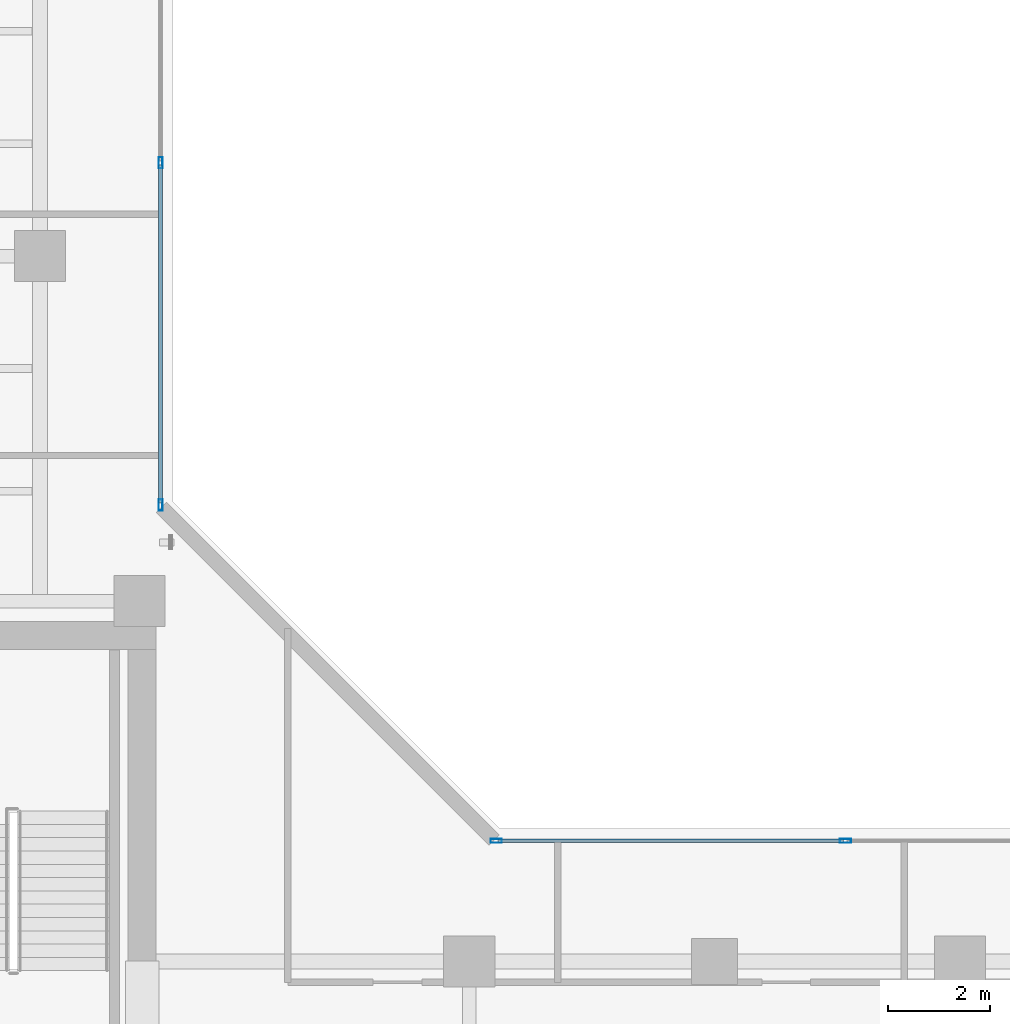
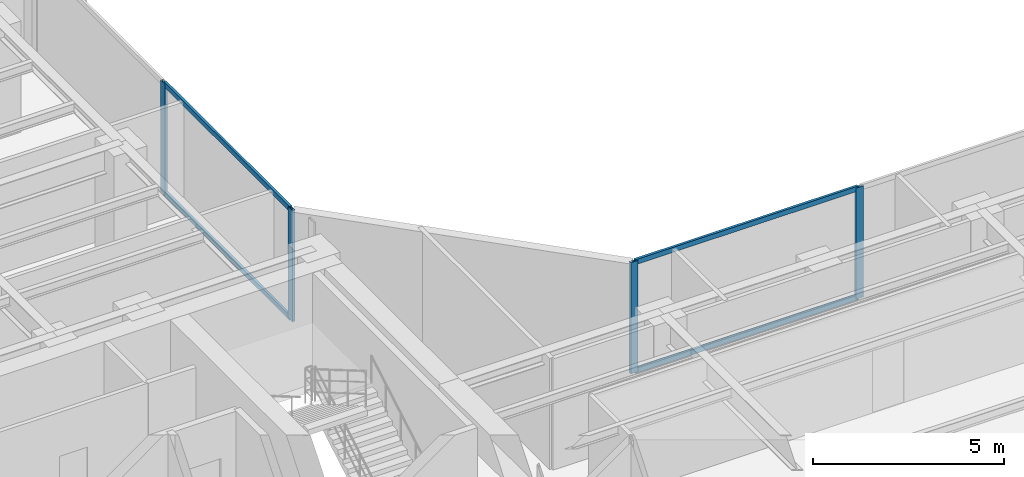
# One storey, part 10 of 23: 8 members, 2 elements without a shape of their own.
"""IFC4 building model written with IfcOpenShell, lengths in metres."""

import ifcopenshell
import ifcopenshell.guid

model = None  # the IFC model being written
_history = None  # IfcOwnerHistory: only IFC2X3 demands one
_inside = {}  # id of a spatial element -> (the spatial element, [elements in it])
_under = {}  # id of a project, library or spatial element -> (it, [spatial elements below it])
_declared = {}  # id of a project -> (the project, [libraries it declares])
_typed = {}  # id of a type object -> (the type object, [elements of that type])
_made_of = {}  # id of a material, layer set ... -> (it, [elements and type objects made of it])


def new_model(schema):
    """Start an empty IFC model of exactly this schema.

    Asked for "IFC4X3", IfcOpenShell would pick the latest addendum, in which some entities
    have other attributes; the version numbers below select the first issue.
    IFC2X3 requires an IfcOwnerHistory on every rooted entity: one is made here for all.
    """
    global model, _history
    if schema == "IFC4X3":
        model = ifcopenshell.file(schema_version=(4, 3, 0, 0))
    else:
        model = ifcopenshell.file(schema=schema)
    _inside.clear()
    _under.clear()
    _declared.clear()
    _typed.clear()
    _made_of.clear()
    _history = None
    if model.schema == "IFC2X3":
        org = make("IfcOrganization", Name="unknown")
        user = make(
            "IfcPersonAndOrganization",
            ThePerson=make("IfcPerson", FamilyName="unknown"),
            TheOrganization=org,
        )
        app = make(
            "IfcApplication",
            ApplicationDeveloper=org,
            Version="unknown",
            ApplicationFullName="unknown",
            ApplicationIdentifier="unknown",
        )
        _history = make(
            "IfcOwnerHistory",
            OwningUser=user,
            OwningApplication=app,
            ChangeAction="ADDED",
            CreationDate=0,
        )
    return model


def make(cls, **values):
    """One entity of the class cls with the attributes given. An attribute that is None is left unset."""
    return model.create_entity(
        cls, **{name: value for name, value in values.items() if value is not None}
    )


def rooted(cls, **values):
    """An entity with a GlobalId (a new one), such as an element, a storey or a relation."""
    return make(cls, GlobalId=ifcopenshell.guid.new(), OwnerHistory=_history, **values)


def si_unit(unit_type, name, prefix=None):
    """IfcSIUnit, for example si_unit("LENGTHUNIT", "METRE", prefix="MILLI")."""
    return make("IfcSIUnit", UnitType=unit_type, Prefix=prefix, Name=name)


def assignment(units):
    """IfcUnitAssignment: the units of a project."""
    return None if units is None else make("IfcUnitAssignment", Units=units)


def point(xyz):
    """IfcCartesianPoint."""
    return None if xyz is None else make("IfcCartesianPoint", Coordinates=xyz)


def direction(xyz):
    """IfcDirection."""
    return None if xyz is None else make("IfcDirection", DirectionRatios=xyz)


def frame(location, z_axis=None, x_axis=None):
    """IfcAxis2Placement3D, a coordinate frame: its origin and axes. An axis left out is left unset."""
    return make(
        "IfcAxis2Placement3D",
        Location=point(location),
        Axis=direction(z_axis),
        RefDirection=direction(x_axis),
    )


def frame_2d(location, x_axis=None):
    """IfcAxis2Placement2D, a coordinate frame in the plane: its origin and x axis."""
    return make(
        "IfcAxis2Placement2D", Location=point(location), RefDirection=direction(x_axis)
    )


def origin():
    """The frame at (0, 0, 0) with its axes left unset."""
    return frame((0.0, 0.0, 0.0))


def origin_with_axes():
    """The frame at (0, 0, 0) with the z axis (0, 0, 1) and the x axis (1, 0, 0) written out."""
    return frame((0.0, 0.0, 0.0), z_axis=(0.0, 0.0, 1.0), x_axis=(1.0, 0.0, 0.0))


def origin_2d():
    """The frame at (0, 0) in the plane with its x axis left unset."""
    return frame_2d((0.0, 0.0))


def place(relative_to, where):
    """IfcLocalPlacement: puts the frame where relative to a parent placement (None: the world)."""
    return make(
        "IfcLocalPlacement", PlacementRelTo=relative_to, RelativePlacement=where
    )


def context(
    kind, dimensions, precision=None, world=None, true_north=None, identifier=None
):
    """IfcGeometricRepresentationContext, for example the 3D "Model" context."""
    return make(
        "IfcGeometricRepresentationContext",
        ContextIdentifier=identifier,
        ContextType=kind,
        CoordinateSpaceDimension=dimensions,
        Precision=precision,
        WorldCoordinateSystem=world,
        TrueNorth=true_north,
    )


def subcontext(parent, identifier, kind, view, scale=None):
    """IfcGeometricRepresentationSubContext, for example "Body" below "Model"."""
    return make(
        "IfcGeometricRepresentationSubContext",
        ContextIdentifier=identifier,
        ContextType=kind,
        ParentContext=parent,
        TargetScale=scale,
        TargetView=view,
    )


def project(units=None, contexts=None):
    """IfcProject with its units and contexts."""
    return rooted(
        "IfcProject",
        Name="project",
        RepresentationContexts=contexts,
        UnitsInContext=assignment(units),
    )


def spatial(cls, under=None, at=None, **own):
    """A site, building, storey or space (cls), placed at a placement, below another one or the project."""
    s = rooted(cls, ObjectPlacement=at, **own)
    if under is not None:
        _under.setdefault(under.id(), (under, []))[1].append(s)
    return s


def profile(cls, at=None, kind="AREA", **sizes):
    """A parametric profile (cls). Its sizes go by their IFC names, for example OverallWidth=200.0."""
    return make(cls, ProfileType=kind, Position=at, **sizes)


def hollow_rectangle(**sizes):
    """IfcRectangleHollowProfileDef."""
    return profile("IfcRectangleHollowProfileDef", **sizes)


def extrude(swept, where, along, depth):
    """IfcExtrudedAreaSolid: the profile swept, set in the frame where, extruded along a direction by depth."""
    return make(
        "IfcExtrudedAreaSolid",
        SweptArea=swept,
        Position=where,
        ExtrudedDirection=direction(along),
        Depth=depth,
    )


def shape(context_of_items, identifier, shape_type, items):
    """IfcShapeRepresentation: the items that make up one representation, for example the "Body"."""
    return make(
        "IfcShapeRepresentation",
        ContextOfItems=context_of_items,
        RepresentationIdentifier=identifier,
        RepresentationType=shape_type,
        Items=items,
    )


def source(mapping_origin, context_of_items, identifier, shape_type, items):
    """IfcRepresentationMap: a shape defined once, which mapped items show again and again."""
    return make(
        "IfcRepresentationMap",
        MappingOrigin=mapping_origin,
        MappedRepresentation=shape(context_of_items, identifier, shape_type, items),
    )


def transform(
    local_origin,
    x_axis=None,
    y_axis=None,
    z_axis=None,
    scale=None,
    scale2=None,
    scale3=None,
    uniform=True,
):
    """IfcCartesianTransformationOperator3D, or its non-uniform kind. x_axis, y_axis, z_axis: its Axis1, 2, 3."""
    if uniform:
        return make(
            "IfcCartesianTransformationOperator3D",
            Axis1=direction(x_axis),
            Axis2=direction(y_axis),
            LocalOrigin=point(local_origin),
            Scale=scale,
            Axis3=direction(z_axis),
        )
    return make(
        "IfcCartesianTransformationOperator3DnonUniform",
        Axis1=direction(x_axis),
        Axis2=direction(y_axis),
        LocalOrigin=point(local_origin),
        Scale=scale,
        Axis3=direction(z_axis),
        Scale2=scale2,
        Scale3=scale3,
    )


def mapped(mapping_source, mapping_target):
    """IfcMappedItem: shows the shape of a source again, moved by a transform."""
    return make(
        "IfcMappedItem", MappingSource=mapping_source, MappingTarget=mapping_target
    )


def material(Name=None, Category=None):
    """IfcMaterial."""
    return make("IfcMaterial", Name=Name, Category=Category)


def layer(
    of_material, thickness, ventilated=None, Name=None, Category=None, Priority=None
):
    """IfcMaterialLayer: one layer of a wall or slab, of a material (None: an air gap)."""
    return make(
        "IfcMaterialLayer",
        Material=of_material,
        LayerThickness=thickness,
        IsVentilated=ventilated,
        Name=Name,
        Category=Category,
        Priority=Priority,
    )


def layer_set(layers, Name=None):
    """IfcMaterialLayerSet."""
    return make("IfcMaterialLayerSet", MaterialLayers=layers, LayerSetName=Name)


def material_profile(
    of_material, cross_section, Name=None, Category=None, Priority=None
):
    """IfcMaterialProfile: a cross section and its material."""
    return make(
        "IfcMaterialProfile",
        Name=Name,
        Material=of_material,
        Profile=cross_section,
        Priority=Priority,
        Category=Category,
    )


def profile_set(profiles, Name=None, composite=None):
    """IfcMaterialProfileSet."""
    return make(
        "IfcMaterialProfileSet",
        Name=Name,
        MaterialProfiles=profiles,
        CompositeProfile=composite,
    )


def made_of(thing, what):
    """Note that an element or type object is made of a material, layer set ...; save() writes the relation."""
    if what is not None:
        _made_of.setdefault(what.id(), (what, []))[1].append(thing)
    return thing


def type_object(cls, material=None, **own):
    """A type object (cls), such as IfcWallType, which elements share."""
    return made_of(rooted(cls, **own), material)


def element(
    cls,
    number,
    at=None,
    inside=None,
    cuts=None,
    type_object=None,
    material=None,
    context=None,
    identifier="Body",
    shape_type=None,
    held_by="IfcProductDefinitionShape",
    body=None,
    shapes=None,
    **own,
):
    """One element of the class cls, such as IfcWall. Its Tag is "e" and its number.

    at: its placement. inside: the storey or other place that contains it. cuts: it is an
    opening in that element (IfcRelVoidsElement). A single representation is given by context,
    identifier, shape_type and body (its items); several are given by shapes. held_by: the class
    of the entity that holds the representations. save() writes the other relations.
    """
    e = rooted(cls, Tag="e%d" % number, ObjectPlacement=at, **own)
    if body is not None:
        shapes = [shape(context, identifier, shape_type, body)]
    if shapes is not None:
        e.Representation = make(held_by, Representations=shapes)
    if inside is not None:
        _inside.setdefault(inside.id(), (inside, []))[1].append(e)
    if cuts is not None:
        rooted(
            "IfcRelVoidsElement", RelatingBuildingElement=cuts, RelatedOpeningElement=e
        )
    if type_object is not None:
        _typed.setdefault(type_object.id(), (type_object, []))[1].append(e)
    return made_of(e, material)


def aggregate(whole, parts):
    """IfcRelAggregates: a whole, such as a stair, and the parts it consists of."""
    return rooted("IfcRelAggregates", RelatingObject=whole, RelatedObjects=parts)


def save(model, path):
    """Write the relations noted so far, then the file.

    IfcRelAggregates (storeys below a building ...), IfcRelContainedInSpatialStructure (elements
    in a storey), IfcRelDefinesByType, IfcRelAssociatesMaterial and IfcRelDeclares: one each for
    every whole, place, type object, material and project.
    """
    for whole, parts in _under.values():
        aggregate(whole, parts)
    for where, things in _inside.values():
        rooted(
            "IfcRelContainedInSpatialStructure",
            RelatedElements=things,
            RelatingStructure=where,
        )
    for kind, things in _typed.values():
        rooted("IfcRelDefinesByType", RelatedObjects=things, RelatingType=kind)
    for what, things in _made_of.values():
        rooted("IfcRelAssociatesMaterial", RelatedObjects=things, RelatingMaterial=what)
    for by, libraries in _declared.values():
        rooted("IfcRelDeclares", RelatingContext=by, RelatedDefinitions=libraries)
    model.write(path)


model = new_model("IFC4")

# Units and contexts
model_context = context("Model", 3, precision=1e-05, world=origin(), true_north=direction((0.0, 1.0)))
body_context = subcontext(model_context, "Body", "Model", "MODEL_VIEW")
ifc_project = project(units=[si_unit("LENGTHUNIT", "METRE"), si_unit("AREAUNIT", "SQUARE_METRE"), si_unit("VOLUMEUNIT", "CUBIC_METRE"), si_unit("PLANEANGLEUNIT", "RADIAN"), si_unit("MASSUNIT", "GRAM", prefix="KILO")], contexts=[model_context])

# Site, building, storey
site_placement = place(None, origin())
site = spatial("IfcSite", under=ifc_project, at=site_placement, CompositionType="ELEMENT")
building_placement = place(site_placement, origin())
building = spatial("IfcBuilding", under=site, at=building_placement, Name="Kolvaren Waterfront Exchange", CompositionType="ELEMENT")
storey_placement = place(building_placement, frame((0.0, 0.0, 250.10009765625)))
storey = spatial("IfcBuildingStorey", under=building, at=storey_placement, Name="L64", CompositionType="ELEMENT", Elevation=250.10009765625)

# Curtain wall, members
ifc_material_1 = material(Name="Anodised bronze aluminium 6063-T6", Category="aluminium")
ifc_layer = layer(ifc_material_1, 0.219970703125, Name="Anodised bronze aluminium 6063-T6")
ifc_layer_set = layer_set([ifc_layer], Name="Anodised bronze aluminium 6063-T6")
curtain_wall_type = type_object("IfcCurtainWallType", Name="ARC-CW-SYS1", PredefinedType="USERDEFINED", material=ifc_layer_set)
curtain_wall_1_placement = place(storey_placement, origin())
curtain_wall_1 = element("IfcCurtainWall", 1, at=curtain_wall_1_placement, inside=storey, type_object=curtain_wall_type, Name="L64 stick curtain wall CW1 (CW-L64-NE)", ObjectType="STICK CURTAIN WALL", PredefinedType="USERDEFINED")
ifc_material_2 = material(Name="Anodised aluminium 6063-T6", Category="aluminium")
ifc_material_profile_1 = material_profile(ifc_material_2, hollow_rectangle(XDim=0.080078125, YDim=0.219970703125, WallThickness=0.0048828125, at=origin_2d()), Name="ALU-MUL-220x80x5")
ifc_profile_set_1 = profile_set([ifc_material_profile_1], Name="Anodised aluminium 6063-T6")
member_type_1 = type_object("IfcMemberType", Name="ARC-CWM-220", PredefinedType="MULLION", material=ifc_profile_set_1)
shared_shape_1 = source(origin_with_axes(), body_context, "Body", "SweptSolid", [
    extrude(hollow_rectangle(XDim=0.080078125, YDim=0.219970703125, WallThickness=0.0048828125, at=origin_2d()), origin(), (0.0, 0.0, 1.0), 3.559814453125),
])
member_1_placement = place(storey_placement, frame((21.159912109375, 26.330078125, 0.0), z_axis=(0.0, 0.0, 1.0), x_axis=(-1.0, 0.0, 0.0)))
member_1 = element("IfcMember", 2, at=member_1_placement, type_object=member_type_1, Name="CW1 mullion 1", PredefinedType="MULLION", context=body_context, shape_type="MappedRepresentation", body=[
    mapped(shared_shape_1, transform((0.0, 0.0, 0.0), x_axis=(1.0, 0.0, 0.0), y_axis=(0.0, 1.0, 0.0), z_axis=(0.0, 0.0, 1.0), scale=1.0)),
])
member_2_placement = place(storey_placement, frame((21.159912109375, 33.026611328125, 0.0), z_axis=(0.0, 0.0, 1.0), x_axis=(-1.0, 0.0, 0.0)))
member_2 = element("IfcMember", 3, at=member_2_placement, type_object=member_type_1, Name="CW1 mullion 2", PredefinedType="MULLION", context=body_context, shape_type="MappedRepresentation", body=[
    mapped(shared_shape_1, transform((0.0, 0.0, 0.0), x_axis=(1.0, 0.0, 0.0), y_axis=(0.0, 1.0, 0.0), z_axis=(0.0, 0.0, 1.0), scale=1.0)),
])

curtain_wall_2_placement = place(storey_placement, origin())
curtain_wall_2 = element("IfcCurtainWall", 4, at=curtain_wall_2_placement, inside=storey, type_object=curtain_wall_type, Name="L64 stick curtain wall CW1 (CW-L64-EN)", ObjectType="STICK CURTAIN WALL", PredefinedType="USERDEFINED")
member_3_placement = place(storey_placement, frame((27.72998046875, 19.760009765625, 0.0), z_axis=(0.0, 0.0, 1.0), x_axis=(0.0, 1.0, 0.0)))
member_3 = element("IfcMember", 5, at=member_3_placement, type_object=member_type_1, Name="CW1 mullion 1", PredefinedType="MULLION", context=body_context, shape_type="MappedRepresentation", body=[
    mapped(shared_shape_1, transform((0.0, 0.0, 0.0), x_axis=(1.0, 0.0, 0.0), y_axis=(0.0, 1.0, 0.0), z_axis=(0.0, 0.0, 1.0), scale=1.0)),
])
member_4_placement = place(storey_placement, frame((34.56005859375, 19.760009765625, 0.0), z_axis=(0.0, 0.0, 1.0), x_axis=(0.0, 1.0, 0.0)))
member_4 = element("IfcMember", 6, at=member_4_placement, type_object=member_type_1, Name="CW1 mullion 2", PredefinedType="MULLION", context=body_context, shape_type="MappedRepresentation", body=[
    mapped(shared_shape_1, transform((0.0, 0.0, 0.0), x_axis=(1.0, 0.0, 0.0), y_axis=(0.0, 1.0, 0.0), z_axis=(0.0, 0.0, 1.0), scale=1.0)),
])

# Member
ifc_material_profile_2 = material_profile(ifc_material_2, hollow_rectangle(XDim=0.074951171875, YDim=0.159912109375, WallThickness=0.00439453125, at=origin_2d()), Name="ALU-TRN-160x75x4.5")
ifc_profile_set_2 = profile_set([ifc_material_profile_2], Name="Anodised aluminium 6063-T6")
member_type_2 = type_object("IfcMemberType", Name="ARC-CWT-160", PredefinedType="USERDEFINED", material=ifc_profile_set_2)
shared_shape_2 = source(origin_with_axes(), body_context, "Body", "SweptSolid", [
    extrude(hollow_rectangle(XDim=0.074951171875, YDim=0.159912109375, WallThickness=0.00439453125, at=origin_2d()), origin(), (0.0, 0.0, 1.0), 6.616455078125),
])
member_5_placement = place(storey_placement, frame((21.159912109375, 26.3701171875, 0.037353515625), z_axis=(0.0, 1.0, 0.0), x_axis=(-1.0, 0.0, 0.0)))
member_5 = element("IfcMember", 7, at=member_5_placement, type_object=member_type_2, Name="CW1 transom 1.1", ObjectType="TRANSOM", PredefinedType="USERDEFINED", context=body_context, shape_type="MappedRepresentation", body=[
    mapped(shared_shape_2, transform((0.0, 0.0, 0.0), x_axis=(1.0, 0.0, 0.0), y_axis=(0.0, 1.0, 0.0), z_axis=(0.0, 0.0, 1.0), scale=1.0)),
])

member_6_placement = place(storey_placement, frame((21.159912109375, 26.3701171875, 3.5224609375), z_axis=(0.0, 1.0, 0.0), x_axis=(-1.0, 0.0, 0.0)))
member_6 = element("IfcMember", 8, at=member_6_placement, type_object=member_type_2, Name="CW1 transom 1.2", ObjectType="TRANSOM", PredefinedType="USERDEFINED", context=body_context, shape_type="MappedRepresentation", body=[
    mapped(shared_shape_2, transform((0.0, 0.0, 0.0), x_axis=(1.0, 0.0, 0.0), y_axis=(0.0, 1.0, 0.0), z_axis=(0.0, 0.0, 1.0), scale=1.0)),
])

aggregate(curtain_wall_1, [member_1, member_2, member_5, member_6])

shared_shape_3 = source(origin_with_axes(), body_context, "Body", "SweptSolid", [
    extrude(hollow_rectangle(XDim=0.074951171875, YDim=0.159912109375, WallThickness=0.00439453125, at=origin_2d()), origin(), (0.0, 0.0, 1.0), 6.75),
])
member_7_placement = place(storey_placement, frame((27.77001953125, 19.760009765625, 0.037353515625), z_axis=(1.0, 0.0, 0.0), x_axis=(0.0, 1.0, 0.0)))
member_7 = element("IfcMember", 9, at=member_7_placement, type_object=member_type_2, Name="CW1 transom 1.1", ObjectType="TRANSOM", PredefinedType="USERDEFINED", context=body_context, shape_type="MappedRepresentation", body=[
    mapped(shared_shape_3, transform((0.0, 0.0, 0.0), x_axis=(1.0, 0.0, 0.0), y_axis=(0.0, 1.0, 0.0), z_axis=(0.0, 0.0, 1.0), scale=1.0)),
])

member_8_placement = place(storey_placement, frame((27.77001953125, 19.760009765625, 3.5224609375), z_axis=(1.0, 0.0, 0.0), x_axis=(0.0, 1.0, 0.0)))
member_8 = element("IfcMember", 10, at=member_8_placement, type_object=member_type_2, Name="CW1 transom 1.2", ObjectType="TRANSOM", PredefinedType="USERDEFINED", context=body_context, shape_type="MappedRepresentation", body=[
    mapped(shared_shape_3, transform((0.0, 0.0, 0.0), x_axis=(1.0, 0.0, 0.0), y_axis=(0.0, 1.0, 0.0), z_axis=(0.0, 0.0, 1.0), scale=1.0)),
])

aggregate(curtain_wall_2, [member_3, member_4, member_7, member_8])

save(model, "model.ifc")
